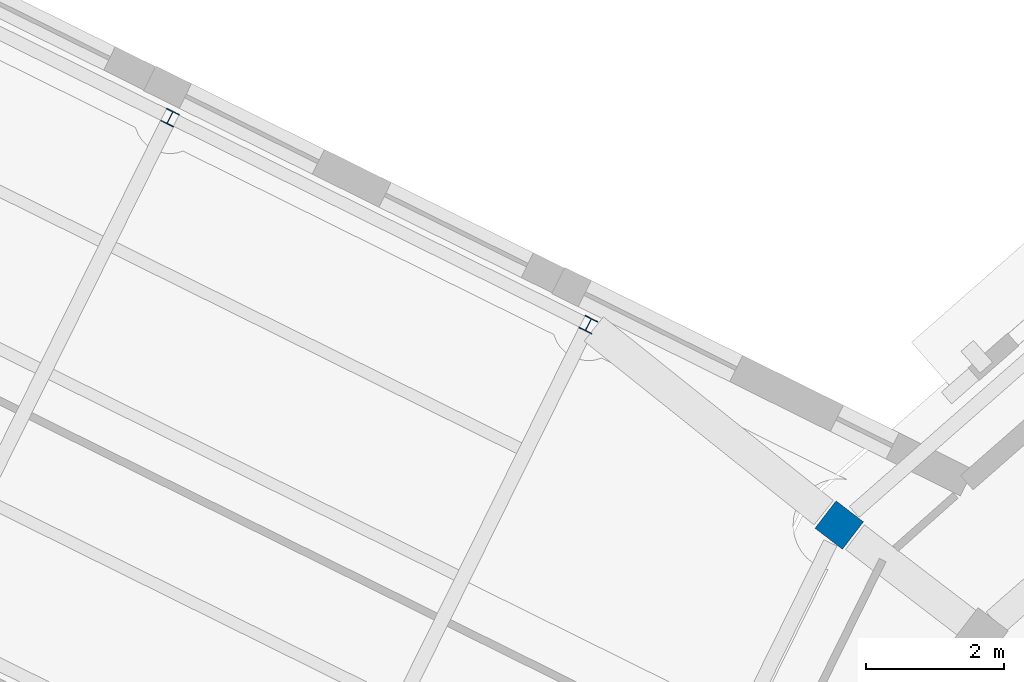
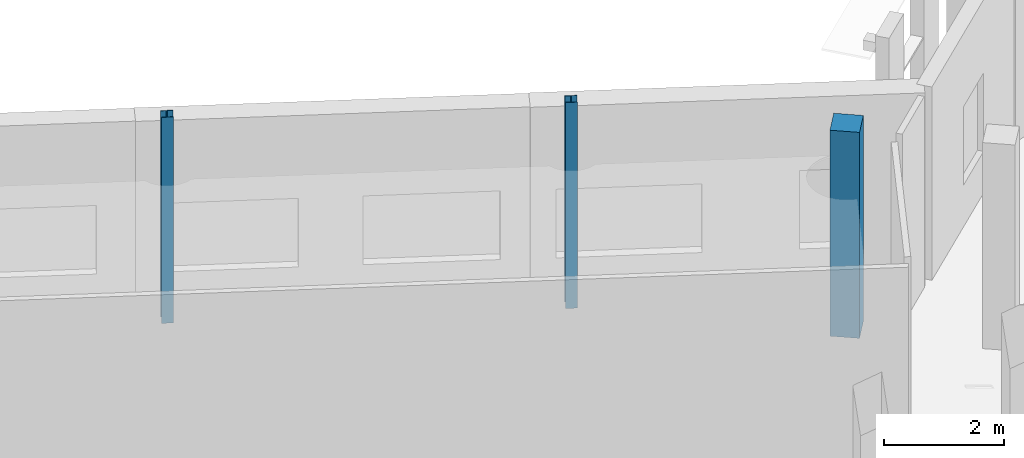
# One storey, part 21 of 90: 3 columns.
"""IFC4 building model written with IfcOpenShell, lengths in metres."""

from ifc_helpers import new_model, si_unit, direction, frame, origin, origin_2d, place, context, subcontext, project, spatial, rectangle, i_section, extrude, material, material_profile, profile_set, type_object, element, save


model = new_model("IFC4")

# Units and contexts
model_context = context("Model", 3, precision=1e-05, world=origin(), true_north=direction((0.0, 1.0)))
body_context = subcontext(model_context, "Body", "Model", "MODEL_VIEW")
ifc_project = project(units=[si_unit("LENGTHUNIT", "METRE"), si_unit("AREAUNIT", "SQUARE_METRE"), si_unit("VOLUMEUNIT", "CUBIC_METRE"), si_unit("PLANEANGLEUNIT", "RADIAN"), si_unit("MASSUNIT", "GRAM", prefix="KILO")], contexts=[model_context])

# Site, building, storey
site_placement = place(None, origin())
site = spatial("IfcSite", under=ifc_project, at=site_placement, CompositionType="ELEMENT")
building_placement = place(site_placement, origin())
building = spatial("IfcBuilding", under=site, at=building_placement, Name="Wrenclough Park School", CompositionType="ELEMENT")
storey_placement = place(building_placement, frame((0.0, 0.0, 8.39990234375)))
storey = spatial("IfcBuildingStorey", under=building, at=storey_placement, Name="L02", CompositionType="ELEMENT", Elevation=8.39990234375)

# Columns
ifc_material_1 = material(Name="Concrete C40/50", Category="concrete")
ifc_material_profile_1 = material_profile(ifc_material_1, rectangle(XDim=0.5, YDim=0.5, at=origin_2d()), Name="RC COL 500x500")
ifc_profile_set_1 = profile_set([ifc_material_profile_1], Name="Concrete C40/50")
column_type_1 = type_object("IfcColumnType", Name="STR-COL-RC500", PredefinedType="COLUMN", material=ifc_profile_set_1)
column_placement = place(storey_placement, frame((161.7666015625, 103.2705078125, 0.0), z_axis=(0.0, 0.0, 1.0), x_axis=(-0.608761429009, -0.793353340291, 0.0)))
element("IfcColumn", 1, at=column_placement, inside=storey, type_object=column_type_1, Name="D5 L02 column D5-OUT-07", PredefinedType="COLUMN", context=body_context, shape_type="SweptSolid", body=[
    extrude(rectangle(XDim=0.5, YDim=0.5, at=origin_2d()), origin(), (0.0, 0.0, 1.0), 4.2001953125),
])
ifc_material_2 = material(Name="Structural steel S355", Category="steel")
ifc_material_profile_2 = material_profile(ifc_material_2, i_section(OverallWidth=0.20361328125, OverallDepth=0.203125, WebThickness=0.007080078125, FlangeThickness=0.010986328125, FilletRadius=0.01025390625, at=origin_2d()), Name="UKC 203x203x46")
ifc_profile_set_2 = profile_set([ifc_material_profile_2], Name="Structural steel S355")
column_type_2 = type_object("IfcColumnType", Name="STR-COL-UKC203A", PredefinedType="COLUMN", material=ifc_profile_set_2)
for number, where, z_axis, x_axis, name in (
    (2, (152.068359375, 109.1748046875, 0.0), (0.0, 0.0, 1.0), (0.896254315973, -0.443540529265, 0.0), "W45 L02 column W45-C2-L04"),
    (3, (158.130859375, 106.1748046875, 0.0), (0.0, 0.0, 1.0), (0.896254315973, -0.443540529265, 0.0), "W45 L02 column W45-C2-L05"),
):
    element("IfcColumn", number, at=place(storey_placement, frame(where, z_axis=z_axis, x_axis=x_axis)), inside=storey, type_object=column_type_2, Name=name, PredefinedType="COLUMN", context=body_context, shape_type="SweptSolid", body=[
        extrude(i_section(OverallWidth=0.20361328125, OverallDepth=0.203125, WebThickness=0.007080078125, FlangeThickness=0.010986328125, FilletRadius=0.01025390625, at=origin_2d()), origin(), (0.0, 0.0, 1.0), 4.2001953125),
    ])

save(model, "model.ifc")
